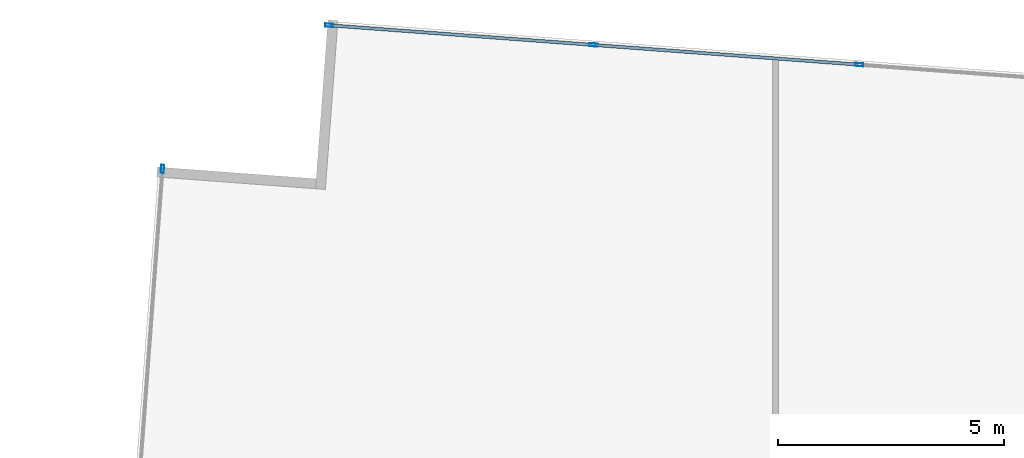
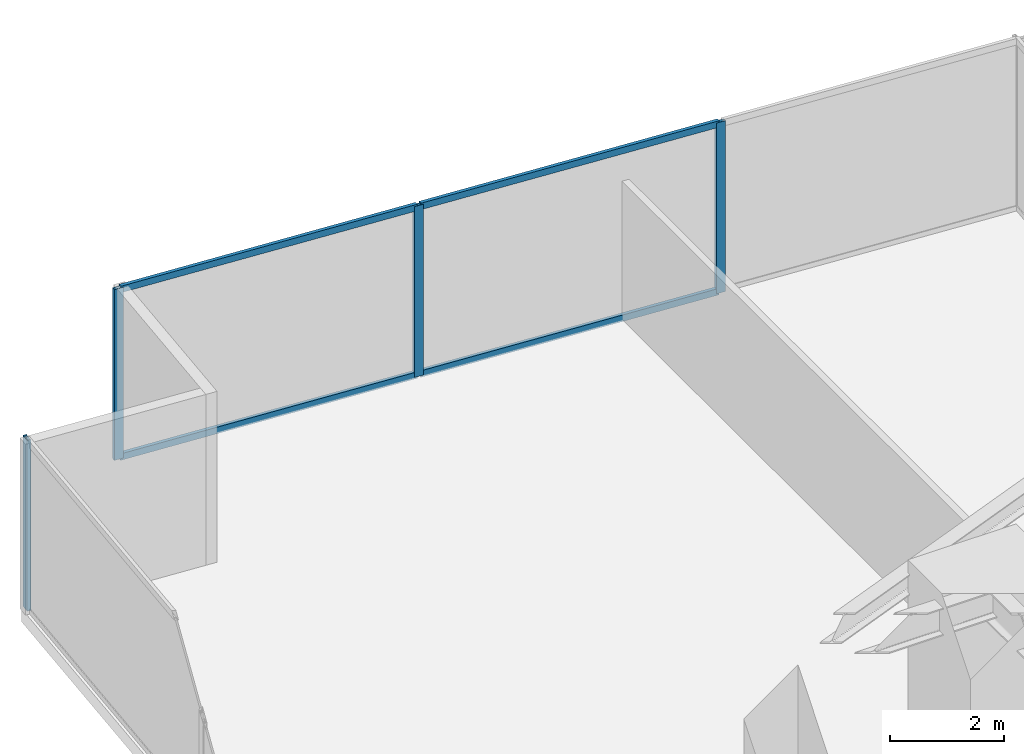
# One storey, part 19 of 30: 8 members, 2 elements without a shape of their own.
"""IFC4 building model written with IfcOpenShell, lengths in metres."""

from ifc_helpers import new_model, si_unit, direction, frame, origin, origin_2d, place, context, subcontext, project, spatial, hollow_rectangle, extrude, source, transform, mapped, material, material_profile, profile_set, type_object, type_shapes, element, aggregate, save


model = new_model("IFC4")

# Units and contexts
model_context = context("Model", 3, precision=1e-05, world=origin(), true_north=direction((0.0, 1.0)))
body_context = subcontext(model_context, "Body", "Model", "MODEL_VIEW")
ifc_project = project(units=[si_unit("LENGTHUNIT", "METRE"), si_unit("AREAUNIT", "SQUARE_METRE"), si_unit("VOLUMEUNIT", "CUBIC_METRE"), si_unit("PLANEANGLEUNIT", "RADIAN"), si_unit("MASSUNIT", "GRAM", prefix="KILO")], contexts=[model_context])

# Site, building, storey
site_placement = place(None, origin())
site = spatial("IfcSite", under=ifc_project, at=site_placement, CompositionType="ELEMENT")
building_placement = place(site_placement, origin())
building = spatial("IfcBuilding", under=site, at=building_placement, Name="Krantzveldt Concourse Tower", CompositionType="ELEMENT")
storey_placement = place(building_placement, frame((0.0, 0.0, 52.64990234375)))
storey = spatial("IfcBuildingStorey", under=building, at=storey_placement, Name="L12", CompositionType="ELEMENT", Elevation=52.64990234375)

# Curtain wall, member
ifc_material = material(Name="Anodised aluminium 6063-T6", Category="aluminium")
curtain_wall_type = type_object("IfcCurtainWallType", Name="CW2", PredefinedType="USERDEFINED", material=ifc_material)
curtain_wall_1_placement = place(storey_placement, origin())
curtain_wall_1 = element("IfcCurtainWall", 1, at=curtain_wall_1_placement, inside=storey, type_object=curtain_wall_type, Name="CW-L12-F01", ObjectType="UNITISED CURTAIN WALL", PredefinedType="USERDEFINED")
ifc_material_profile_1 = material_profile(ifc_material, hollow_rectangle(XDim=0.070068359375, YDim=0.179931640625, WallThickness=0.0048828125, at=origin_2d()), Name="Anodised aluminium 6063-T6", Category="aluminium")
ifc_profile_set_1 = profile_set([ifc_material_profile_1], Name="Anodised aluminium 6063-T6 - ALU-MULL 180x70x5")
member_type_1 = type_object("IfcMemberType", Name="CW-MUL-180", PredefinedType="MULLION", material=ifc_profile_set_1)
shared_shape_1 = source(origin(), body_context, "Body", "SweptSolid", [
    extrude(hollow_rectangle(XDim=0.070068359375, YDim=0.179931640625, WallThickness=0.0048828125, at=origin_2d()), origin(), (0.0, 0.0, 1.0), 3.670166015625),
])
type_shapes(member_type_1, [shared_shape_1])
member_1_placement = place(storey_placement, frame((12.749267578125, 49.951904296875, 0.0), z_axis=(0.0, 0.0, 1.0), x_axis=(0.997250176902, -0.07410860051, 0.0)))
member_1 = element("IfcMember", 2, at=member_1_placement, type_object=member_type_1, Name="CW-Z12 mullion 1", PredefinedType="MULLION", context=body_context, shape_type="MappedRepresentation", body=[
    mapped(shared_shape_1, transform((0.0, 0.0, 0.0), x_axis=(1.0, 0.0, 0.0), y_axis=(0.0, 1.0, 0.0), z_axis=(0.0, 0.0, 1.0), scale=1.0)),
])
aggregate(curtain_wall_1, [member_1])

# Curtain wall, members
curtain_wall_2_placement = place(storey_placement, origin())
curtain_wall_2 = element("IfcCurtainWall", 3, at=curtain_wall_2_placement, inside=storey, type_object=curtain_wall_type, Name="CW-L12-F14", ObjectType="UNITISED CURTAIN WALL", PredefinedType="USERDEFINED")
member_2_placement = place(storey_placement, frame((28.172607421875, 52.26025390625, 0.0), z_axis=(0.0, 0.0, 1.0), x_axis=(-0.074108467464, -0.997250186789, 0.0)))
member_2 = element("IfcMember", 4, at=member_2_placement, type_object=member_type_1, Name="CW-Z12 mullion 2", PredefinedType="MULLION", context=body_context, shape_type="MappedRepresentation", body=[
    mapped(shared_shape_1, transform((0.0, 0.0, 0.0), x_axis=(1.0, 0.0, 0.0), y_axis=(0.0, 1.0, 0.0), z_axis=(0.0, 0.0, 1.0), scale=1.0)),
])
member_3_placement = place(storey_placement, frame((22.288818359375, 52.697509765625, 0.0), z_axis=(0.0, 0.0, 1.0), x_axis=(-0.074108467464, -0.997250186789, 0.0)))
member_3 = element("IfcMember", 5, at=member_3_placement, type_object=member_type_1, Name="CW-Z12 mullion 3", PredefinedType="MULLION", context=body_context, shape_type="MappedRepresentation", body=[
    mapped(shared_shape_1, transform((0.0, 0.0, 0.0), x_axis=(1.0, 0.0, 0.0), y_axis=(0.0, 1.0, 0.0), z_axis=(0.0, 0.0, 1.0), scale=1.0)),
])
member_4_placement = place(storey_placement, frame((16.440185546875, 53.13232421875, 0.0), z_axis=(0.0, 0.0, 1.0), x_axis=(-0.074108467464, -0.997250186789, 0.0)))
member_4 = element("IfcMember", 6, at=member_4_placement, type_object=member_type_1, Name="CW-Z12 mullion 4", PredefinedType="MULLION", context=body_context, shape_type="MappedRepresentation", body=[
    mapped(shared_shape_1, transform((0.0, 0.0, 0.0), x_axis=(1.0, 0.0, 0.0), y_axis=(0.0, 1.0, 0.0), z_axis=(0.0, 0.0, 1.0), scale=1.0)),
])
ifc_material_profile_2 = material_profile(ifc_material, hollow_rectangle(XDim=0.070068359375, YDim=0.139892578125, WallThickness=0.0048828125, at=origin_2d()), Name="Anodised aluminium 6063-T6", Category="aluminium")
ifc_profile_set_2 = profile_set([ifc_material_profile_2], Name="Anodised aluminium 6063-T6 - ALU-TRAN 140x70x5")
member_type_2 = type_object("IfcMemberType", Name="CW-TRN-150", PredefinedType="USERDEFINED", material=ifc_profile_set_2)
shared_shape_2 = source(origin(), body_context, "Body", "SweptSolid", [
    extrude(hollow_rectangle(XDim=0.070068359375, YDim=0.139892578125, WallThickness=0.0048828125, at=origin_2d()), origin(), (0.0, 0.0, 1.0), 5.830078125),
])
member_5_placement = place(storey_placement, frame((28.1376953125, 52.262939453125, 0.03515625), z_axis=(-0.997249212895, 0.074121571631, 0.0), x_axis=(-0.074121571631, -0.997249212895, 0.0)))
member_5 = element("IfcMember", 7, at=member_5_placement, type_object=member_type_2, Name="CW-Z12 transom 2.1", ObjectType="TRANSOM", PredefinedType="USERDEFINED", context=body_context, shape_type="MappedRepresentation", body=[
    mapped(shared_shape_2, transform((0.0, 0.0, 0.0), x_axis=(1.0, 0.0, 0.0), y_axis=(0.0, 1.0, 0.0), z_axis=(0.0, 0.0, 1.0), scale=1.0)),
])
member_6_placement = place(storey_placement, frame((28.1376953125, 52.262939453125, 3.635009765625), z_axis=(-0.997249212895, 0.074121571631, 0.0), x_axis=(-0.074121571631, -0.997249212895, 0.0)))
member_6 = element("IfcMember", 8, at=member_6_placement, type_object=member_type_2, Name="CW-Z12 transom 2.2", ObjectType="TRANSOM", PredefinedType="USERDEFINED", context=body_context, shape_type="MappedRepresentation", body=[
    mapped(shared_shape_2, transform((0.0, 0.0, 0.0), x_axis=(1.0, 0.0, 0.0), y_axis=(0.0, 1.0, 0.0), z_axis=(0.0, 0.0, 1.0), scale=1.0)),
])
shared_shape_3 = source(origin(), body_context, "Body", "SweptSolid", [
    extrude(hollow_rectangle(XDim=0.070068359375, YDim=0.139892578125, WallThickness=0.0048828125, at=origin_2d()), origin(), (0.0, 0.0, 1.0), 5.795166015625),
])
type_shapes(member_type_2, [shared_shape_2, shared_shape_3])
member_7_placement = place(storey_placement, frame((22.254150390625, 52.7001953125, 0.03515625), z_axis=(-0.99725060064, 0.074102898214, 0.0), x_axis=(-0.074102898214, -0.99725060064, 0.0)))
member_7 = element("IfcMember", 9, at=member_7_placement, type_object=member_type_2, Name="CW-Z12 transom 3.1", ObjectType="TRANSOM", PredefinedType="USERDEFINED", context=body_context, shape_type="MappedRepresentation", body=[
    mapped(shared_shape_3, transform((0.0, 0.0, 0.0), x_axis=(1.0, 0.0, 0.0), y_axis=(0.0, 1.0, 0.0), z_axis=(0.0, 0.0, 1.0), scale=1.0)),
])
member_8_placement = place(storey_placement, frame((22.254150390625, 52.7001953125, 3.635009765625), z_axis=(-0.99725060064, 0.074102898214, 0.0), x_axis=(-0.074102898214, -0.99725060064, 0.0)))
member_8 = element("IfcMember", 10, at=member_8_placement, type_object=member_type_2, Name="CW-Z12 transom 3.2", ObjectType="TRANSOM", PredefinedType="USERDEFINED", context=body_context, shape_type="MappedRepresentation", body=[
    mapped(shared_shape_3, transform((0.0, 0.0, 0.0), x_axis=(1.0, 0.0, 0.0), y_axis=(0.0, 1.0, 0.0), z_axis=(0.0, 0.0, 1.0), scale=1.0)),
])
aggregate(curtain_wall_2, [member_2, member_3, member_4, member_5, member_6, member_7, member_8])

save(model, "model.ifc")
